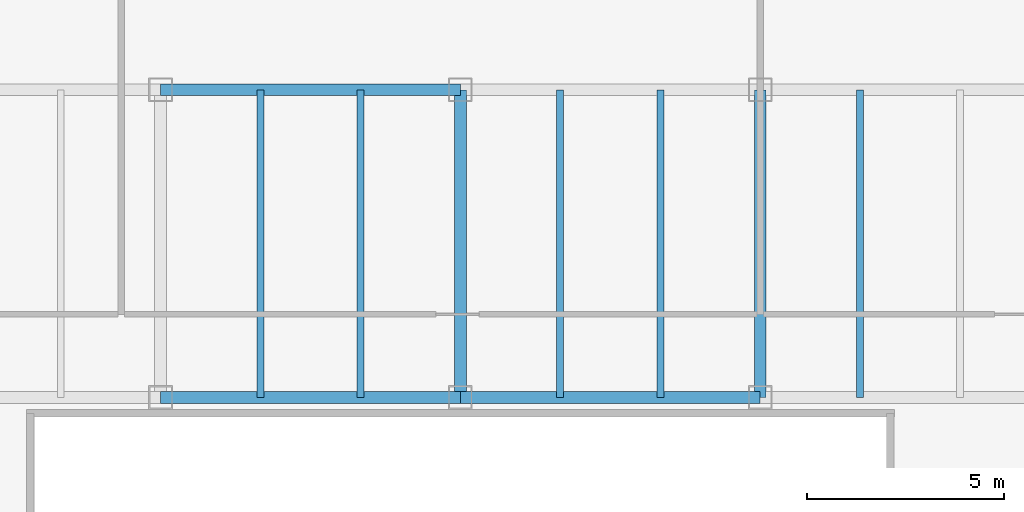
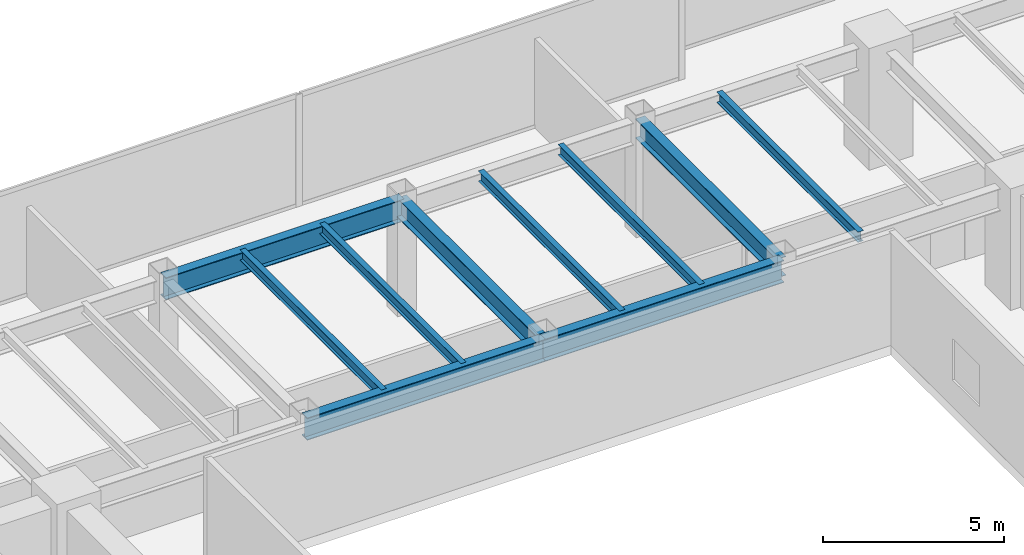
# One storey, part 17 of 35: 10 beams.
"""IFC4 building model written with IfcOpenShell, lengths in metres."""

from ifc_helpers import new_model, si_unit, direction, frame, origin, origin_2d, place, context, subcontext, project, spatial, i_section, extrude, source, transform, mapped, material, material_profile, profile_set, type_object, type_shapes, element, save


model = new_model("IFC4")

# Units and contexts
model_context = context("Model", 3, precision=1e-05, world=origin(), true_north=direction((0.0, 1.0)))
body_context = subcontext(model_context, "Body", "Model", "MODEL_VIEW")
ifc_project = project(units=[si_unit("LENGTHUNIT", "METRE"), si_unit("AREAUNIT", "SQUARE_METRE"), si_unit("VOLUMEUNIT", "CUBIC_METRE"), si_unit("PLANEANGLEUNIT", "RADIAN"), si_unit("MASSUNIT", "GRAM", prefix="KILO")], contexts=[model_context])

# Site, building, storey
site_placement = place(None, origin())
site = spatial("IfcSite", under=ifc_project, at=site_placement, CompositionType="ELEMENT")
building_placement = place(site_placement, origin())
building = spatial("IfcBuilding", under=site, at=building_placement, Name="Haelvirn Gate Laboratories", CompositionType="ELEMENT")
storey_placement = place(building_placement, frame((0.0, 0.0, 66.199951171875)))
storey = spatial("IfcBuildingStorey", under=building, at=storey_placement, Name="L16", CompositionType="ELEMENT", Elevation=66.199951171875)

# Beams
ifc_material = material(Name="Steel SM355", Category="steel")
ifc_material_profile_1 = material_profile(ifc_material, i_section(OverallWidth=0.300048828125, OverallDepth=0.75, WebThickness=0.013916015625, FlangeThickness=0.02392578125, at=origin_2d()), Name="H-750x300x14x24")
ifc_profile_set_1 = profile_set([ifc_material_profile_1], Name="Steel SM355")
beam_type_1 = type_object("IfcBeamType", Name="BM-G-750", PredefinedType="BEAM", material=ifc_profile_set_1)
shared_shape_1 = source(origin(), body_context, "Body", "SweptSolid", [
    extrude(i_section(OverallWidth=0.300048828125, OverallDepth=0.75, WebThickness=0.013916015625, FlangeThickness=0.02392578125, at=origin_2d()), origin(), (0.0, 0.0, 1.0), 7.60009765625),
])
beam_placement = place(storey_placement, frame((37.39990234375, 33.800048828125, 3.405029296875), z_axis=(1.0, 0.0, 0.0), x_axis=(0.0, 1.0, 0.0)))
element("IfcBeam", 1, at=beam_placement, inside=storey, type_object=beam_type_1, Name="L16 Primary Girder Y33.8 (37.4-45.0)", PredefinedType="BEAM", context=body_context, shape_type="MappedRepresentation", body=[
    mapped(shared_shape_1, transform((0.0, 0.0, 0.0), scale=1.0)),
])
shared_shape_2 = source(origin(), body_context, "Body", "SweptSolid", [
    extrude(i_section(OverallWidth=0.300048828125, OverallDepth=0.75, WebThickness=0.013916015625, FlangeThickness=0.02392578125, at=origin_2d()), origin(), (0.0, 0.0, 1.0), 7.599853515625),
])
type_shapes(beam_type_1, [shared_shape_1, shared_shape_2])
for number, where, z_axis, x_axis, name in (
    (2, (29.800048828125, 33.800048828125, 3.405029296875), (1.0, 0.0, 0.0), (0.0, 1.0, 0.0), "L16 Primary Girder Y33.8 (29.8-37.4)"),
    (3, (29.800048828125, 41.60009765625, 3.405029296875), (1.0, 0.0, 0.0), (0.0, 1.0, 0.0), "L16 Primary Girder Y41.6 (29.8-37.4)"),
):
    element("IfcBeam", number, at=place(storey_placement, frame(where, z_axis=z_axis, x_axis=x_axis)), inside=storey, type_object=beam_type_1, Name=name, PredefinedType="BEAM", context=body_context, shape_type="MappedRepresentation", body=[
        mapped(shared_shape_2, transform((0.0, 0.0, 0.0), scale=1.0)),
    ])
ifc_material_profile_2 = material_profile(ifc_material, i_section(OverallWidth=0.175048828125, OverallDepth=0.35009765625, WebThickness=0.007080078125, FlangeThickness=0.010986328125, at=origin_2d()), Name="H-350x175x7x11")
ifc_profile_set_2 = profile_set([ifc_material_profile_2], Name="Steel SM355")
beam_type_2 = type_object("IfcBeamType", Name="BM-J-350", PredefinedType="JOIST", material=ifc_profile_set_2)
shared_shape_3 = source(origin(), body_context, "Body", "SweptSolid", [
    extrude(i_section(OverallWidth=0.175048828125, OverallDepth=0.35009765625, WebThickness=0.007080078125, FlangeThickness=0.010986328125, at=origin_2d()), origin(), (0.0, 0.0, 1.0), 7.800048828125),
])
type_shapes(beam_type_2, [shared_shape_3])
for number, where, z_axis, x_axis, name in (
    (4, (32.330078125, 33.800048828125, 3.60498046875), (0.0, 1.0, 0.0), (-1.0, 0.0, 0.0), "L16 Composite Lab Joist North X32.33"),
    (5, (34.8701171875, 33.800048828125, 3.60498046875), (0.0, 1.0, 0.0), (-1.0, 0.0, 0.0), "L16 Composite Lab Joist North X34.87"),
    (6, (39.929931640625, 33.800048828125, 3.60498046875), (0.0, 1.0, 0.0), (-1.0, 0.0, 0.0), "L16 Composite Lab Joist North X39.93"),
    (7, (42.469970703125, 33.800048828125, 3.60498046875), (0.0, 1.0, 0.0), (-1.0, 0.0, 0.0), "L16 Composite Lab Joist North X42.47"),
    (8, (47.530029296875, 33.800048828125, 3.60498046875), (0.0, 1.0, 0.0), (-1.0, 0.0, 0.0), "L16 Composite Lab Joist North X47.53"),
):
    element("IfcBeam", number, at=place(storey_placement, frame(where, z_axis=z_axis, x_axis=x_axis)), inside=storey, type_object=beam_type_2, Name=name, PredefinedType="JOIST", context=body_context, shape_type="MappedRepresentation", body=[
        mapped(shared_shape_3, transform((0.0, 0.0, 0.0), scale=1.0)),
    ])
ifc_material_profile_3 = material_profile(ifc_material, i_section(OverallWidth=0.300048828125, OverallDepth=0.64990234375, WebThickness=0.012939453125, FlangeThickness=0.02197265625, at=origin_2d()), Name="H-650x300x13x22")
ifc_profile_set_3 = profile_set([ifc_material_profile_3], Name="Steel SM355")
beam_type_3 = type_object("IfcBeamType", Name="BM-G-650", PredefinedType="BEAM", material=ifc_profile_set_3)
shared_shape_4 = source(origin(), body_context, "Body", "SweptSolid", [
    extrude(i_section(OverallWidth=0.300048828125, OverallDepth=0.64990234375, WebThickness=0.012939453125, FlangeThickness=0.02197265625, at=origin_2d()), origin(), (0.0, 0.0, 1.0), 7.800048828125),
])
type_shapes(beam_type_3, [shared_shape_4])
for number, where, z_axis, x_axis, name in (
    (9, (37.39990234375, 33.800048828125, 3.455078125), (0.0, 1.0, 0.0), (-1.0, 0.0, 0.0), "L16 Frame Girder X37.4 (33.8-41.6)"),
    (10, (45.0, 33.800048828125, 3.455078125), (0.0, 1.0, 0.0), (-1.0, 0.0, 0.0), "L16 Frame Girder X45.0 (33.8-41.6)"),
):
    element("IfcBeam", number, at=place(storey_placement, frame(where, z_axis=z_axis, x_axis=x_axis)), inside=storey, type_object=beam_type_3, Name=name, PredefinedType="BEAM", context=body_context, shape_type="MappedRepresentation", body=[
        mapped(shared_shape_4, transform((0.0, 0.0, 0.0), scale=1.0)),
    ])

save(model, "model.ifc")
